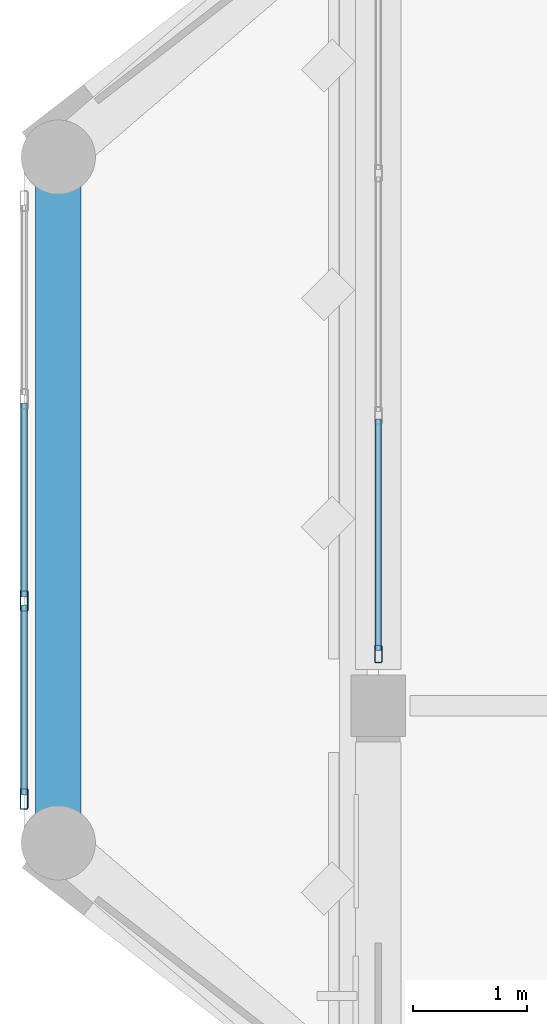
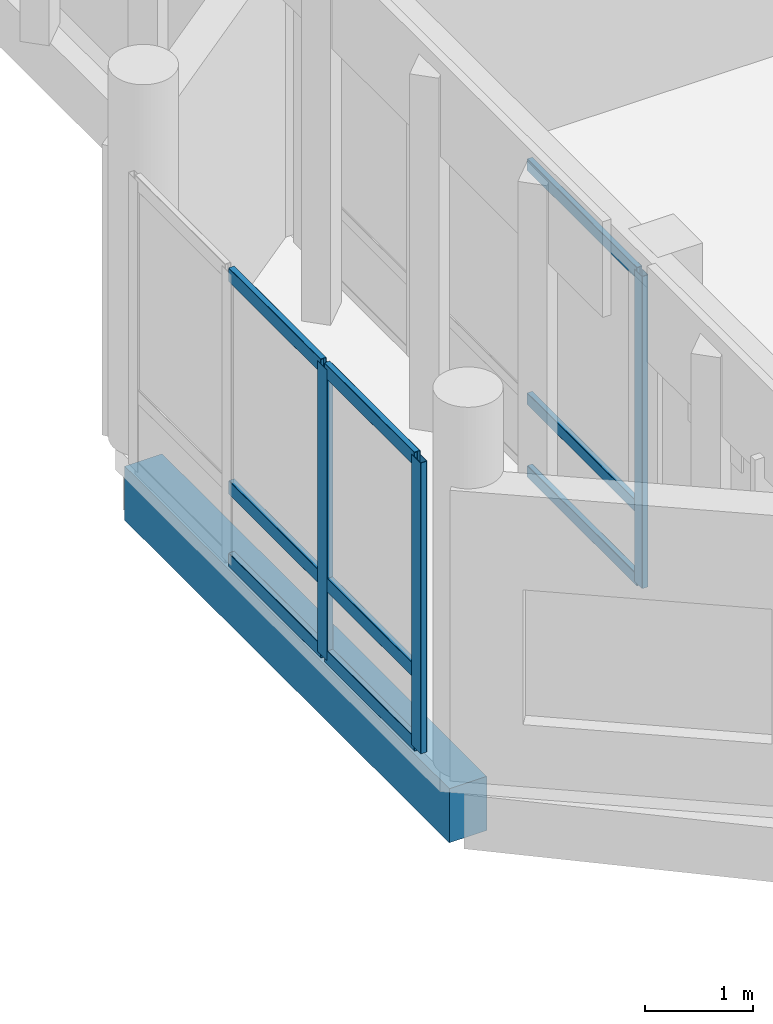
# One storey, part 4 of 72: 12 members, 1 beam, 2 elements without a shape of their own.
"""IFC4 building model written with IfcOpenShell, lengths in metres."""

import ifcopenshell
import ifcopenshell.guid

model = None  # the IFC model being written
_history = None  # IfcOwnerHistory: only IFC2X3 demands one
_inside = {}  # id of a spatial element -> (the spatial element, [elements in it])
_under = {}  # id of a project, library or spatial element -> (it, [spatial elements below it])
_declared = {}  # id of a project -> (the project, [libraries it declares])
_typed = {}  # id of a type object -> (the type object, [elements of that type])
_made_of = {}  # id of a material, layer set ... -> (it, [elements and type objects made of it])


def new_model(schema):
    """Start an empty IFC model of exactly this schema.

    Asked for "IFC4X3", IfcOpenShell would pick the latest addendum, in which some entities
    have other attributes; the version numbers below select the first issue.
    IFC2X3 requires an IfcOwnerHistory on every rooted entity: one is made here for all.
    """
    global model, _history
    if schema == "IFC4X3":
        model = ifcopenshell.file(schema_version=(4, 3, 0, 0))
    else:
        model = ifcopenshell.file(schema=schema)
    _inside.clear()
    _under.clear()
    _declared.clear()
    _typed.clear()
    _made_of.clear()
    _history = None
    if model.schema == "IFC2X3":
        org = make("IfcOrganization", Name="unknown")
        user = make(
            "IfcPersonAndOrganization",
            ThePerson=make("IfcPerson", FamilyName="unknown"),
            TheOrganization=org,
        )
        app = make(
            "IfcApplication",
            ApplicationDeveloper=org,
            Version="unknown",
            ApplicationFullName="unknown",
            ApplicationIdentifier="unknown",
        )
        _history = make(
            "IfcOwnerHistory",
            OwningUser=user,
            OwningApplication=app,
            ChangeAction="ADDED",
            CreationDate=0,
        )
    return model


def make(cls, **values):
    """One entity of the class cls with the attributes given. An attribute that is None is left unset."""
    return model.create_entity(
        cls, **{name: value for name, value in values.items() if value is not None}
    )


def rooted(cls, **values):
    """An entity with a GlobalId (a new one), such as an element, a storey or a relation."""
    return make(cls, GlobalId=ifcopenshell.guid.new(), OwnerHistory=_history, **values)


def si_unit(unit_type, name, prefix=None):
    """IfcSIUnit, for example si_unit("LENGTHUNIT", "METRE", prefix="MILLI")."""
    return make("IfcSIUnit", UnitType=unit_type, Prefix=prefix, Name=name)


def assignment(units):
    """IfcUnitAssignment: the units of a project."""
    return None if units is None else make("IfcUnitAssignment", Units=units)


def point(xyz):
    """IfcCartesianPoint."""
    return None if xyz is None else make("IfcCartesianPoint", Coordinates=xyz)


def direction(xyz):
    """IfcDirection."""
    return None if xyz is None else make("IfcDirection", DirectionRatios=xyz)


def frame(location, z_axis=None, x_axis=None):
    """IfcAxis2Placement3D, a coordinate frame: its origin and axes. An axis left out is left unset."""
    return make(
        "IfcAxis2Placement3D",
        Location=point(location),
        Axis=direction(z_axis),
        RefDirection=direction(x_axis),
    )


def frame_2d(location, x_axis=None):
    """IfcAxis2Placement2D, a coordinate frame in the plane: its origin and x axis."""
    return make(
        "IfcAxis2Placement2D", Location=point(location), RefDirection=direction(x_axis)
    )


def origin():
    """The frame at (0, 0, 0) with its axes left unset."""
    return frame((0.0, 0.0, 0.0))


def origin_2d():
    """The frame at (0, 0) in the plane with its x axis left unset."""
    return frame_2d((0.0, 0.0))


def place(relative_to, where):
    """IfcLocalPlacement: puts the frame where relative to a parent placement (None: the world)."""
    return make(
        "IfcLocalPlacement", PlacementRelTo=relative_to, RelativePlacement=where
    )


def context(
    kind, dimensions, precision=None, world=None, true_north=None, identifier=None
):
    """IfcGeometricRepresentationContext, for example the 3D "Model" context."""
    return make(
        "IfcGeometricRepresentationContext",
        ContextIdentifier=identifier,
        ContextType=kind,
        CoordinateSpaceDimension=dimensions,
        Precision=precision,
        WorldCoordinateSystem=world,
        TrueNorth=true_north,
    )


def subcontext(parent, identifier, kind, view, scale=None):
    """IfcGeometricRepresentationSubContext, for example "Body" below "Model"."""
    return make(
        "IfcGeometricRepresentationSubContext",
        ContextIdentifier=identifier,
        ContextType=kind,
        ParentContext=parent,
        TargetScale=scale,
        TargetView=view,
    )


def project(units=None, contexts=None):
    """IfcProject with its units and contexts."""
    return rooted(
        "IfcProject",
        Name="project",
        RepresentationContexts=contexts,
        UnitsInContext=assignment(units),
    )


def spatial(cls, under=None, at=None, **own):
    """A site, building, storey or space (cls), placed at a placement, below another one or the project."""
    s = rooted(cls, ObjectPlacement=at, **own)
    if under is not None:
        _under.setdefault(under.id(), (under, []))[1].append(s)
    return s


def profile(cls, at=None, kind="AREA", **sizes):
    """A parametric profile (cls). Its sizes go by their IFC names, for example OverallWidth=200.0."""
    return make(cls, ProfileType=kind, Position=at, **sizes)


def rectangle(**sizes):
    """IfcRectangleProfileDef."""
    return profile("IfcRectangleProfileDef", **sizes)


def hollow_rectangle(**sizes):
    """IfcRectangleHollowProfileDef."""
    return profile("IfcRectangleHollowProfileDef", **sizes)


def extrude(swept, where, along, depth):
    """IfcExtrudedAreaSolid: the profile swept, set in the frame where, extruded along a direction by depth."""
    return make(
        "IfcExtrudedAreaSolid",
        SweptArea=swept,
        Position=where,
        ExtrudedDirection=direction(along),
        Depth=depth,
    )


def shape(context_of_items, identifier, shape_type, items):
    """IfcShapeRepresentation: the items that make up one representation, for example the "Body"."""
    return make(
        "IfcShapeRepresentation",
        ContextOfItems=context_of_items,
        RepresentationIdentifier=identifier,
        RepresentationType=shape_type,
        Items=items,
    )


def material(Name=None, Category=None):
    """IfcMaterial."""
    return make("IfcMaterial", Name=Name, Category=Category)


def material_profile(
    of_material, cross_section, Name=None, Category=None, Priority=None
):
    """IfcMaterialProfile: a cross section and its material."""
    return make(
        "IfcMaterialProfile",
        Name=Name,
        Material=of_material,
        Profile=cross_section,
        Priority=Priority,
        Category=Category,
    )


def profile_set(profiles, Name=None, composite=None):
    """IfcMaterialProfileSet."""
    return make(
        "IfcMaterialProfileSet",
        Name=Name,
        MaterialProfiles=profiles,
        CompositeProfile=composite,
    )


def made_of(thing, what):
    """Note that an element or type object is made of a material, layer set ...; save() writes the relation."""
    if what is not None:
        _made_of.setdefault(what.id(), (what, []))[1].append(thing)
    return thing


def type_object(cls, material=None, **own):
    """A type object (cls), such as IfcWallType, which elements share."""
    return made_of(rooted(cls, **own), material)


def element(
    cls,
    number,
    at=None,
    inside=None,
    cuts=None,
    type_object=None,
    material=None,
    context=None,
    identifier="Body",
    shape_type=None,
    held_by="IfcProductDefinitionShape",
    body=None,
    shapes=None,
    **own,
):
    """One element of the class cls, such as IfcWall. Its Tag is "e" and its number.

    at: its placement. inside: the storey or other place that contains it. cuts: it is an
    opening in that element (IfcRelVoidsElement). A single representation is given by context,
    identifier, shape_type and body (its items); several are given by shapes. held_by: the class
    of the entity that holds the representations. save() writes the other relations.
    """
    e = rooted(cls, Tag="e%d" % number, ObjectPlacement=at, **own)
    if body is not None:
        shapes = [shape(context, identifier, shape_type, body)]
    if shapes is not None:
        e.Representation = make(held_by, Representations=shapes)
    if inside is not None:
        _inside.setdefault(inside.id(), (inside, []))[1].append(e)
    if cuts is not None:
        rooted(
            "IfcRelVoidsElement", RelatingBuildingElement=cuts, RelatedOpeningElement=e
        )
    if type_object is not None:
        _typed.setdefault(type_object.id(), (type_object, []))[1].append(e)
    return made_of(e, material)


def aggregate(whole, parts):
    """IfcRelAggregates: a whole, such as a stair, and the parts it consists of."""
    return rooted("IfcRelAggregates", RelatingObject=whole, RelatedObjects=parts)


def save(model, path):
    """Write the relations noted so far, then the file.

    IfcRelAggregates (storeys below a building ...), IfcRelContainedInSpatialStructure (elements
    in a storey), IfcRelDefinesByType, IfcRelAssociatesMaterial and IfcRelDeclares: one each for
    every whole, place, type object, material and project.
    """
    for whole, parts in _under.values():
        aggregate(whole, parts)
    for where, things in _inside.values():
        rooted(
            "IfcRelContainedInSpatialStructure",
            RelatedElements=things,
            RelatingStructure=where,
        )
    for kind, things in _typed.values():
        rooted("IfcRelDefinesByType", RelatedObjects=things, RelatingType=kind)
    for what, things in _made_of.values():
        rooted("IfcRelAssociatesMaterial", RelatedObjects=things, RelatingMaterial=what)
    for by, libraries in _declared.values():
        rooted("IfcRelDeclares", RelatingContext=by, RelatedDefinitions=libraries)
    model.write(path)


model = new_model("IFC4")

# Units and contexts
model_context = context("Model", 3, precision=1e-05, world=origin(), true_north=direction((0.0, 1.0)))
body_context = subcontext(model_context, "Body", "Model", "MODEL_VIEW")
ifc_project = project(units=[si_unit("LENGTHUNIT", "METRE"), si_unit("AREAUNIT", "SQUARE_METRE"), si_unit("VOLUMEUNIT", "CUBIC_METRE"), si_unit("PLANEANGLEUNIT", "RADIAN"), si_unit("MASSUNIT", "GRAM", prefix="KILO")], contexts=[model_context])

# Site, building, storey
site_placement = place(None, origin())
site = spatial("IfcSite", under=ifc_project, at=site_placement, CompositionType="ELEMENT")
building_placement = place(site_placement, origin())
building = spatial("IfcBuilding", under=site, at=building_placement, Name="Lusvemor Sports Hall", CompositionType="ELEMENT")
storey_placement = place(building_placement, frame((0.0, 0.0, 15.0)))
storey = spatial("IfcBuildingStorey", under=building, at=storey_placement, Name="L03", CompositionType="ELEMENT", Elevation=15.0)

# Curtain wall, members
ifc_material_1 = material(Name="Thermally broken bronze-anodized aluminium", Category="aluminium")
curtain_wall_type_1 = type_object("IfcCurtainWallType", Name="CW_FOYER_A", PredefinedType="NOTDEFINED", material=ifc_material_1)
curtain_wall_1_placement = place(storey_placement, origin())
curtain_wall_1 = element("IfcCurtainWall", 1, at=curtain_wall_1_placement, inside=storey, type_object=curtain_wall_type_1, Name="Curtain Wall CW-BOW-W1-L03-M", PredefinedType="NOTDEFINED")
ifc_material_2 = material(Name="Thermally broken bronze-anodized aluminium", Category="aluminium")
ifc_material_profile_1 = material_profile(ifc_material_2, hollow_rectangle(XDim=0.070068359375, YDim=0.179931640625, WallThickness=0.0048828125, InnerFilletRadius=0.0048828125, OuterFilletRadius=0.010009765625, at=origin_2d()), Name="CWMUL180x70x5")
ifc_profile_set_1 = profile_set([ifc_material_profile_1], Name="Thermally broken bronze-anodized aluminium")
member_type_1 = type_object("IfcMemberType", Name="CW_MUL_A", PredefinedType="MULLION", material=ifc_profile_set_1)
member_1_placement = place(storey_placement, frame((-3.10009765625, 60.385009765625, 0.0), z_axis=(0.0, 0.0, 1.0), x_axis=(-1.0, 0.0, 0.0)))
member_1 = element("IfcMember", 2, at=member_1_placement, type_object=member_type_1, Name="CW01 mullion 1", PredefinedType="MULLION", context=body_context, shape_type="SweptSolid", body=[
    extrude(hollow_rectangle(XDim=0.070068359375, YDim=0.179931640625, WallThickness=0.0048828125, InnerFilletRadius=0.0048828125, OuterFilletRadius=0.010009765625, at=origin_2d()), origin(), (0.0, 0.0, 1.0), 3.280029296875),
])
member_2_placement = place(storey_placement, frame((-3.10009765625, 62.11669921875, 0.0), z_axis=(0.0, 0.0, 1.0), x_axis=(-1.0, 0.0, 0.0)))
member_2 = element("IfcMember", 3, at=member_2_placement, type_object=member_type_1, Name="CW01 mullion 2", PredefinedType="MULLION", context=body_context, shape_type="SweptSolid", body=[
    extrude(hollow_rectangle(XDim=0.070068359375, YDim=0.179931640625, WallThickness=0.0048828125, InnerFilletRadius=0.0048828125, OuterFilletRadius=0.010009765625, at=origin_2d()), origin(), (0.0, 0.0, 1.0), 3.280029296875),
])

# Curtain wall, member
ifc_material_3 = material(Name="Thermally broken bronze-anodized aluminium", Category="aluminium")
curtain_wall_type_2 = type_object("IfcCurtainWallType", Name="CW_WING_B", PredefinedType="NOTDEFINED", material=ifc_material_3)
curtain_wall_2_placement = place(storey_placement, origin())
curtain_wall_2 = element("IfcCurtainWall", 4, at=curtain_wall_2_placement, inside=storey, type_object=curtain_wall_type_2, Name="Curtain Wall CW-L03-W-0-1", PredefinedType="NOTDEFINED")
ifc_material_4 = material(Name="Thermally broken bronze-anodized aluminium", Category="aluminium")
ifc_material_profile_2 = material_profile(ifc_material_4, hollow_rectangle(XDim=0.06494140625, YDim=0.14990234375, WallThickness=0.00390625, InnerFilletRadius=0.00390625, OuterFilletRadius=0.008056640625, at=origin_2d()), Name="CWMUL150x65x4")
ifc_profile_set_2 = profile_set([ifc_material_profile_2], Name="Thermally broken bronze-anodized aluminium")
member_type_2 = type_object("IfcMemberType", Name="CW_MUL_B", PredefinedType="MULLION", material=ifc_profile_set_2)
member_3_placement = place(storey_placement, frame((0.0, 61.652587890625, 0.0), z_axis=(0.0, 0.0, 1.0), x_axis=(-1.0, 0.0, 0.0)))
member_3 = element("IfcMember", 5, at=member_3_placement, type_object=member_type_2, Name="CW02 mullion 1", PredefinedType="MULLION", context=body_context, shape_type="SweptSolid", body=[
    extrude(hollow_rectangle(XDim=0.06494140625, YDim=0.14990234375, WallThickness=0.00390625, InnerFilletRadius=0.00390625, OuterFilletRadius=0.008056640625, at=origin_2d()), origin(), (0.0, 0.0, 1.0), 3.52001953125),
])

# Member
ifc_material_5 = material(Name="Thermally broken bronze-anodized aluminium", Category="aluminium")
ifc_material_profile_3 = material_profile(ifc_material_5, hollow_rectangle(XDim=0.06494140625, YDim=0.159912109375, WallThickness=0.00390625, InnerFilletRadius=0.00390625, OuterFilletRadius=0.008056640625, at=origin_2d()), Name="CWTRN160x65x4")
ifc_profile_set_3 = profile_set([ifc_material_profile_3], Name="Thermally broken bronze-anodized aluminium")
member_type_3 = type_object("IfcMemberType", Name="CW_TRN_A", PredefinedType="USERDEFINED", material=ifc_profile_set_3)
member_4_placement = place(storey_placement, frame((-3.10009765625, 60.419921875, 0.032470703125), z_axis=(0.0, 1.0, 0.0), x_axis=(-1.0, 0.0, 0.0)))
member_4 = element("IfcMember", 6, at=member_4_placement, type_object=member_type_3, Name="CW01 transom 1.1", ObjectType="TRANSOM", PredefinedType="USERDEFINED", context=body_context, shape_type="SweptSolid", body=[
    extrude(hollow_rectangle(XDim=0.06494140625, YDim=0.159912109375, WallThickness=0.00390625, InnerFilletRadius=0.00390625, OuterFilletRadius=0.008056640625, at=origin_2d()), origin(), (0.0, 0.0, 1.0), 1.661865234375),
])

member_5_placement = place(storey_placement, frame((-3.10009765625, 60.419921875, 0.85009765625), z_axis=(0.0, 1.0, 0.0), x_axis=(-1.0, 0.0, 0.0)))
member_5 = element("IfcMember", 7, at=member_5_placement, type_object=member_type_3, Name="CW01 transom 1.2", ObjectType="TRANSOM", PredefinedType="USERDEFINED", context=body_context, shape_type="SweptSolid", body=[
    extrude(hollow_rectangle(XDim=0.06494140625, YDim=0.159912109375, WallThickness=0.00390625, InnerFilletRadius=0.00390625, OuterFilletRadius=0.008056640625, at=origin_2d()), origin(), (0.0, 0.0, 1.0), 1.661865234375),
])

member_6_placement = place(storey_placement, frame((-3.10009765625, 60.419921875, 3.24755859375), z_axis=(0.0, 1.0, 0.0), x_axis=(-1.0, 0.0, 0.0)))
member_6 = element("IfcMember", 8, at=member_6_placement, type_object=member_type_3, Name="CW01 transom 1.3", ObjectType="TRANSOM", PredefinedType="USERDEFINED", context=body_context, shape_type="SweptSolid", body=[
    extrude(hollow_rectangle(XDim=0.06494140625, YDim=0.159912109375, WallThickness=0.00390625, InnerFilletRadius=0.00390625, OuterFilletRadius=0.008056640625, at=origin_2d()), origin(), (0.0, 0.0, 1.0), 1.661865234375),
])

member_7_placement = place(storey_placement, frame((-3.10009765625, 62.151611328125, 0.032470703125), z_axis=(0.0, 1.0, 0.0), x_axis=(-1.0, 0.0, 0.0)))
member_7 = element("IfcMember", 9, at=member_7_placement, type_object=member_type_3, Name="CW01 transom 2.1", ObjectType="TRANSOM", PredefinedType="USERDEFINED", context=body_context, shape_type="SweptSolid", body=[
    extrude(hollow_rectangle(XDim=0.06494140625, YDim=0.159912109375, WallThickness=0.00390625, InnerFilletRadius=0.00390625, OuterFilletRadius=0.008056640625, at=origin_2d()), origin(), (0.0, 0.0, 1.0), 1.69677734375),
])

member_8_placement = place(storey_placement, frame((-3.10009765625, 62.151611328125, 0.85009765625), z_axis=(0.0, 1.0, 0.0), x_axis=(-1.0, 0.0, 0.0)))
member_8 = element("IfcMember", 10, at=member_8_placement, type_object=member_type_3, Name="CW01 transom 2.2", ObjectType="TRANSOM", PredefinedType="USERDEFINED", context=body_context, shape_type="SweptSolid", body=[
    extrude(hollow_rectangle(XDim=0.06494140625, YDim=0.159912109375, WallThickness=0.00390625, InnerFilletRadius=0.00390625, OuterFilletRadius=0.008056640625, at=origin_2d()), origin(), (0.0, 0.0, 1.0), 1.69677734375),
])

member_9_placement = place(storey_placement, frame((-3.10009765625, 62.151611328125, 3.24755859375), z_axis=(0.0, 1.0, 0.0), x_axis=(-1.0, 0.0, 0.0)))
member_9 = element("IfcMember", 11, at=member_9_placement, type_object=member_type_3, Name="CW01 transom 2.3", ObjectType="TRANSOM", PredefinedType="USERDEFINED", context=body_context, shape_type="SweptSolid", body=[
    extrude(hollow_rectangle(XDim=0.06494140625, YDim=0.159912109375, WallThickness=0.00390625, InnerFilletRadius=0.00390625, OuterFilletRadius=0.008056640625, at=origin_2d()), origin(), (0.0, 0.0, 1.0), 1.69677734375),
])

aggregate(curtain_wall_1, [member_1, member_2, member_4, member_5, member_6, member_7, member_8, member_9])

ifc_material_6 = material(Name="Thermally broken bronze-anodized aluminium", Category="aluminium")
ifc_material_profile_4 = material_profile(ifc_material_6, hollow_rectangle(XDim=0.06005859375, YDim=0.135009765625, WallThickness=0.00390625, InnerFilletRadius=0.00390625, OuterFilletRadius=0.008056640625, at=origin_2d()), Name="CWTRN135x60x4")
ifc_profile_set_4 = profile_set([ifc_material_profile_4], Name="Thermally broken bronze-anodized aluminium")
member_type_4 = type_object("IfcMemberType", Name="CW_TRN_B", PredefinedType="USERDEFINED", material=ifc_profile_set_4)
member_10_placement = place(storey_placement, frame((0.0, 61.68505859375, 0.030029296875), z_axis=(0.0, 1.0, 0.0), x_axis=(-1.0, 0.0, 0.0)))
member_10 = element("IfcMember", 12, at=member_10_placement, type_object=member_type_4, Name="CW02 transom 1.1", ObjectType="TRANSOM", PredefinedType="USERDEFINED", context=body_context, shape_type="SweptSolid", body=[
    extrude(hollow_rectangle(XDim=0.06005859375, YDim=0.135009765625, WallThickness=0.00390625, InnerFilletRadius=0.00390625, OuterFilletRadius=0.008056640625, at=origin_2d()), origin(), (0.0, 0.0, 1.0), 2.0224609375),
])

member_11_placement = place(storey_placement, frame((0.0, 61.68505859375, 0.85009765625), z_axis=(0.0, 1.0, 0.0), x_axis=(-1.0, 0.0, 0.0)))
member_11 = element("IfcMember", 13, at=member_11_placement, type_object=member_type_4, Name="CW02 transom 1.2", ObjectType="TRANSOM", PredefinedType="USERDEFINED", context=body_context, shape_type="SweptSolid", body=[
    extrude(hollow_rectangle(XDim=0.06005859375, YDim=0.135009765625, WallThickness=0.00390625, InnerFilletRadius=0.00390625, OuterFilletRadius=0.008056640625, at=origin_2d()), origin(), (0.0, 0.0, 1.0), 2.0224609375),
])

member_12_placement = place(storey_placement, frame((0.0, 61.68505859375, 3.489990234375), z_axis=(0.0, 1.0, 0.0), x_axis=(-1.0, 0.0, 0.0)))
member_12 = element("IfcMember", 14, at=member_12_placement, type_object=member_type_4, Name="CW02 transom 1.3", ObjectType="TRANSOM", PredefinedType="USERDEFINED", context=body_context, shape_type="SweptSolid", body=[
    extrude(hollow_rectangle(XDim=0.06005859375, YDim=0.135009765625, WallThickness=0.00390625, InnerFilletRadius=0.00390625, OuterFilletRadius=0.008056640625, at=origin_2d()), origin(), (0.0, 0.0, 1.0), 2.0224609375),
])

aggregate(curtain_wall_2, [member_3, member_10, member_11, member_12])

# Beam
ifc_material_7 = material(Name="Concrete C40/50", Category="concrete")
ifc_material_profile_5 = material_profile(ifc_material_7, rectangle(XDim=0.39990234375, YDim=0.610107421875, at=origin_2d()), Name="RC400x610")
ifc_profile_set_5 = profile_set([ifc_material_profile_5], Name="Concrete C40/50")
beam_type = type_object("IfcBeamType", Name="SPAND_EXT_650", PredefinedType="SPANDREL", material=ifc_profile_set_5)
beam_placement = place(storey_placement, frame((-2.800048828125, 60.0, -0.56494140625), z_axis=(0.0, 1.0, 0.0), x_axis=(-1.0, 0.0, 0.0)))
element("IfcBeam", 15, at=beam_placement, inside=storey, type_object=beam_type, Name="Bow Pavilion Edge Beam BOW-W1 L03-2", PredefinedType="SPANDREL", context=body_context, shape_type="SweptSolid", body=[
    extrude(rectangle(XDim=0.39990234375, YDim=0.610107421875, at=origin_2d()), origin(), (0.0, 0.0, 1.0), 6.0),
])

save(model, "model.ifc")
